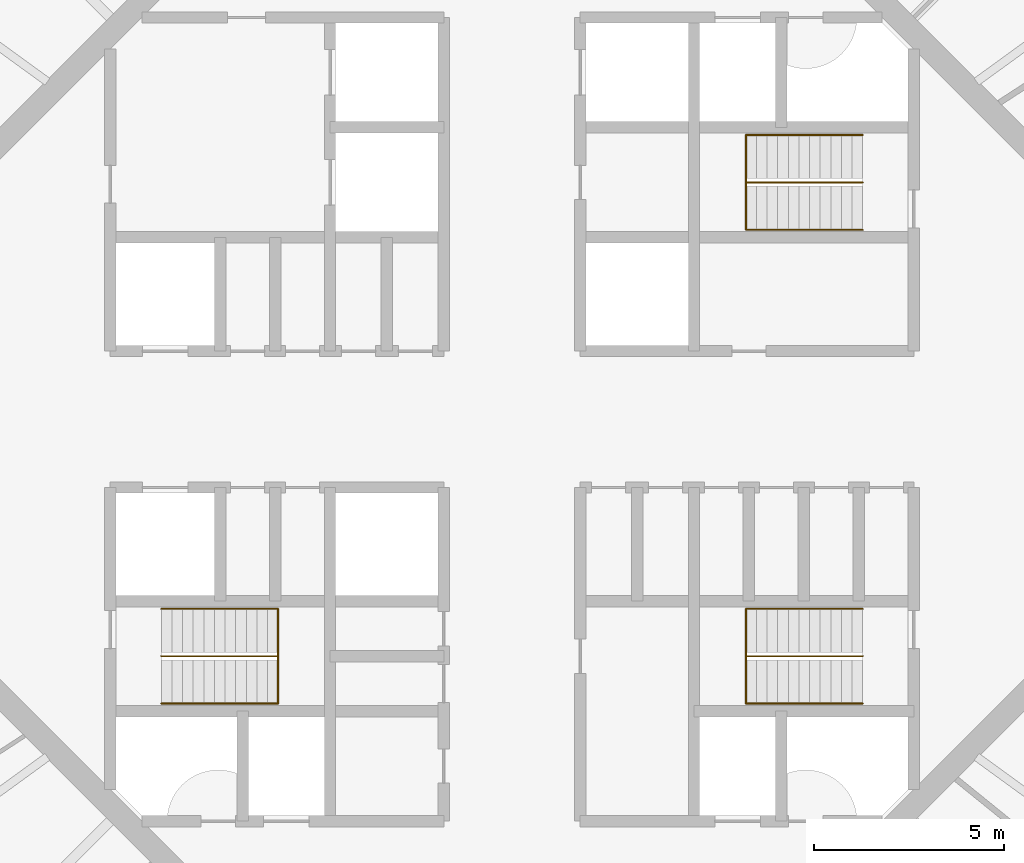
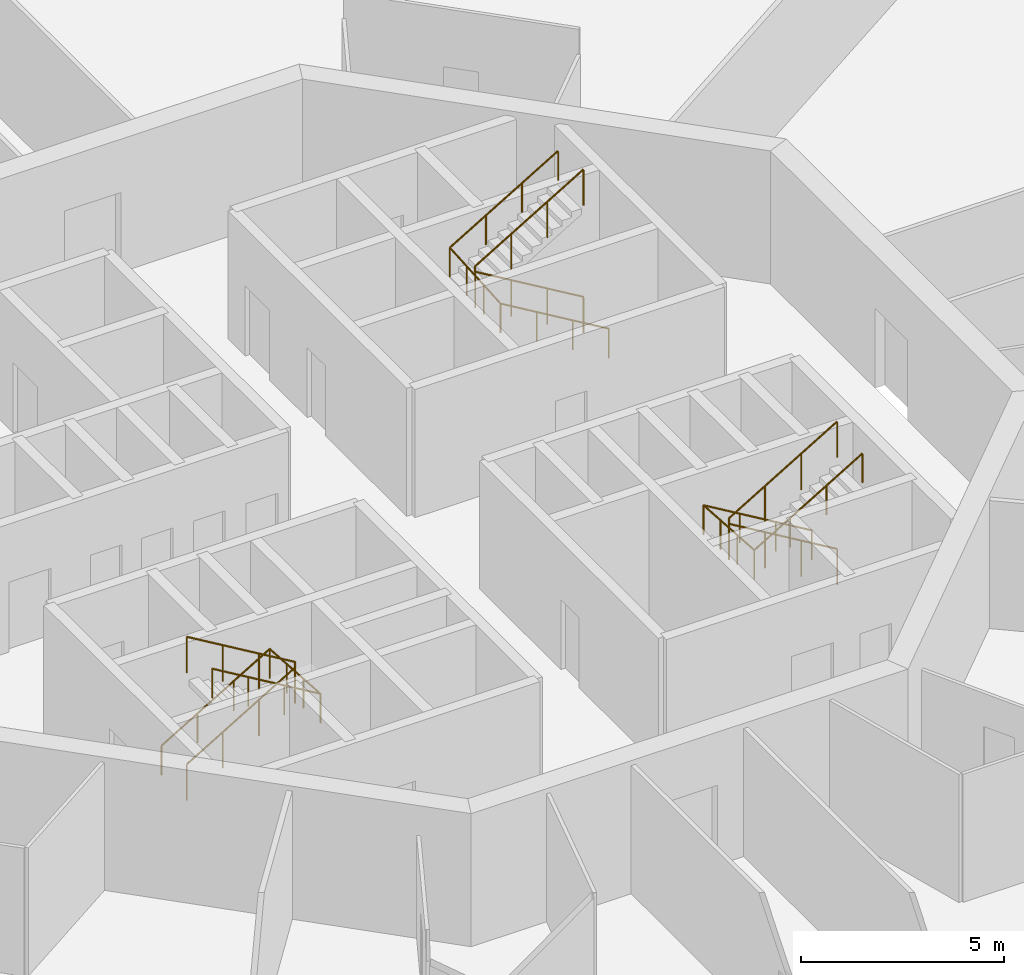
# One storey, part 19 of 19: 6 railings.
"""IFC4 building model written with IfcOpenShell, lengths in metres."""

import ifcopenshell
import ifcopenshell.guid

model = None  # the IFC model being written
_history = None  # IfcOwnerHistory: only IFC2X3 demands one
_inside = {}  # id of a spatial element -> (the spatial element, [elements in it])
_under = {}  # id of a project, library or spatial element -> (it, [spatial elements below it])
_declared = {}  # id of a project -> (the project, [libraries it declares])
_typed = {}  # id of a type object -> (the type object, [elements of that type])
_made_of = {}  # id of a material, layer set ... -> (it, [elements and type objects made of it])


def new_model(schema):
    """Start an empty IFC model of exactly this schema.

    Asked for "IFC4X3", IfcOpenShell would pick the latest addendum, in which some entities
    have other attributes; the version numbers below select the first issue.
    IFC2X3 requires an IfcOwnerHistory on every rooted entity: one is made here for all.
    """
    global model, _history
    if schema == "IFC4X3":
        model = ifcopenshell.file(schema_version=(4, 3, 0, 0))
    else:
        model = ifcopenshell.file(schema=schema)
    _inside.clear()
    _under.clear()
    _declared.clear()
    _typed.clear()
    _made_of.clear()
    _history = None
    if model.schema == "IFC2X3":
        org = make("IfcOrganization", Name="unknown")
        user = make(
            "IfcPersonAndOrganization",
            ThePerson=make("IfcPerson", FamilyName="unknown"),
            TheOrganization=org,
        )
        app = make(
            "IfcApplication",
            ApplicationDeveloper=org,
            Version="unknown",
            ApplicationFullName="unknown",
            ApplicationIdentifier="unknown",
        )
        _history = make(
            "IfcOwnerHistory",
            OwningUser=user,
            OwningApplication=app,
            ChangeAction="ADDED",
            CreationDate=0,
        )
    return model


def make(cls, **values):
    """One entity of the class cls with the attributes given. An attribute that is None is left unset."""
    return model.create_entity(
        cls, **{name: value for name, value in values.items() if value is not None}
    )


def rooted(cls, **values):
    """An entity with a GlobalId (a new one), such as an element, a storey or a relation."""
    return make(cls, GlobalId=ifcopenshell.guid.new(), OwnerHistory=_history, **values)


def si_unit(unit_type, name, prefix=None):
    """IfcSIUnit, for example si_unit("LENGTHUNIT", "METRE", prefix="MILLI")."""
    return make("IfcSIUnit", UnitType=unit_type, Prefix=prefix, Name=name)


def assignment(units):
    """IfcUnitAssignment: the units of a project."""
    return None if units is None else make("IfcUnitAssignment", Units=units)


def point(xyz):
    """IfcCartesianPoint."""
    return None if xyz is None else make("IfcCartesianPoint", Coordinates=xyz)


def direction(xyz):
    """IfcDirection."""
    return None if xyz is None else make("IfcDirection", DirectionRatios=xyz)


def frame(location, z_axis=None, x_axis=None):
    """IfcAxis2Placement3D, a coordinate frame: its origin and axes. An axis left out is left unset."""
    return make(
        "IfcAxis2Placement3D",
        Location=point(location),
        Axis=direction(z_axis),
        RefDirection=direction(x_axis),
    )


def frame_2d(location, x_axis=None):
    """IfcAxis2Placement2D, a coordinate frame in the plane: its origin and x axis."""
    return make(
        "IfcAxis2Placement2D", Location=point(location), RefDirection=direction(x_axis)
    )


def origin():
    """The frame at (0, 0, 0) with its axes left unset."""
    return frame((0.0, 0.0, 0.0))


def origin_2d():
    """The frame at (0, 0) in the plane with its x axis left unset."""
    return frame_2d((0.0, 0.0))


def place(relative_to, where):
    """IfcLocalPlacement: puts the frame where relative to a parent placement (None: the world)."""
    return make(
        "IfcLocalPlacement", PlacementRelTo=relative_to, RelativePlacement=where
    )


def context(
    kind, dimensions, precision=None, world=None, true_north=None, identifier=None
):
    """IfcGeometricRepresentationContext, for example the 3D "Model" context."""
    return make(
        "IfcGeometricRepresentationContext",
        ContextIdentifier=identifier,
        ContextType=kind,
        CoordinateSpaceDimension=dimensions,
        Precision=precision,
        WorldCoordinateSystem=world,
        TrueNorth=true_north,
    )


def subcontext(parent, identifier, kind, view, scale=None):
    """IfcGeometricRepresentationSubContext, for example "Body" below "Model"."""
    return make(
        "IfcGeometricRepresentationSubContext",
        ContextIdentifier=identifier,
        ContextType=kind,
        ParentContext=parent,
        TargetScale=scale,
        TargetView=view,
    )


def project(units=None, contexts=None):
    """IfcProject with its units and contexts."""
    return rooted(
        "IfcProject",
        Name="project",
        RepresentationContexts=contexts,
        UnitsInContext=assignment(units),
    )


def spatial(cls, under=None, at=None, **own):
    """A site, building, storey or space (cls), placed at a placement, below another one or the project."""
    s = rooted(cls, ObjectPlacement=at, **own)
    if under is not None:
        _under.setdefault(under.id(), (under, []))[1].append(s)
    return s


def profile(cls, at=None, kind="AREA", **sizes):
    """A parametric profile (cls). Its sizes go by their IFC names, for example OverallWidth=200.0."""
    return make(cls, ProfileType=kind, Position=at, **sizes)


def circle(**sizes):
    """IfcCircleProfileDef."""
    return profile("IfcCircleProfileDef", **sizes)


def extrude(swept, where, along, depth):
    """IfcExtrudedAreaSolid: the profile swept, set in the frame where, extruded along a direction by depth."""
    return make(
        "IfcExtrudedAreaSolid",
        SweptArea=swept,
        Position=where,
        ExtrudedDirection=direction(along),
        Depth=depth,
    )


def shape(context_of_items, identifier, shape_type, items):
    """IfcShapeRepresentation: the items that make up one representation, for example the "Body"."""
    return make(
        "IfcShapeRepresentation",
        ContextOfItems=context_of_items,
        RepresentationIdentifier=identifier,
        RepresentationType=shape_type,
        Items=items,
    )


def material(Name=None, Category=None):
    """IfcMaterial."""
    return make("IfcMaterial", Name=Name, Category=Category)


def made_of(thing, what):
    """Note that an element or type object is made of a material, layer set ...; save() writes the relation."""
    if what is not None:
        _made_of.setdefault(what.id(), (what, []))[1].append(thing)
    return thing


def type_object(cls, material=None, **own):
    """A type object (cls), such as IfcWallType, which elements share."""
    return made_of(rooted(cls, **own), material)


def element(
    cls,
    number,
    at=None,
    inside=None,
    cuts=None,
    type_object=None,
    material=None,
    context=None,
    identifier="Body",
    shape_type=None,
    held_by="IfcProductDefinitionShape",
    body=None,
    shapes=None,
    **own,
):
    """One element of the class cls, such as IfcWall. Its Tag is "e" and its number.

    at: its placement. inside: the storey or other place that contains it. cuts: it is an
    opening in that element (IfcRelVoidsElement). A single representation is given by context,
    identifier, shape_type and body (its items); several are given by shapes. held_by: the class
    of the entity that holds the representations. save() writes the other relations.
    """
    e = rooted(cls, Tag="e%d" % number, ObjectPlacement=at, **own)
    if body is not None:
        shapes = [shape(context, identifier, shape_type, body)]
    if shapes is not None:
        e.Representation = make(held_by, Representations=shapes)
    if inside is not None:
        _inside.setdefault(inside.id(), (inside, []))[1].append(e)
    if cuts is not None:
        rooted(
            "IfcRelVoidsElement", RelatingBuildingElement=cuts, RelatedOpeningElement=e
        )
    if type_object is not None:
        _typed.setdefault(type_object.id(), (type_object, []))[1].append(e)
    return made_of(e, material)


def aggregate(whole, parts):
    """IfcRelAggregates: a whole, such as a stair, and the parts it consists of."""
    return rooted("IfcRelAggregates", RelatingObject=whole, RelatedObjects=parts)


def save(model, path):
    """Write the relations noted so far, then the file.

    IfcRelAggregates (storeys below a building ...), IfcRelContainedInSpatialStructure (elements
    in a storey), IfcRelDefinesByType, IfcRelAssociatesMaterial and IfcRelDeclares: one each for
    every whole, place, type object, material and project.
    """
    for whole, parts in _under.values():
        aggregate(whole, parts)
    for where, things in _inside.values():
        rooted(
            "IfcRelContainedInSpatialStructure",
            RelatedElements=things,
            RelatingStructure=where,
        )
    for kind, things in _typed.values():
        rooted("IfcRelDefinesByType", RelatedObjects=things, RelatingType=kind)
    for what, things in _made_of.values():
        rooted("IfcRelAssociatesMaterial", RelatedObjects=things, RelatingMaterial=what)
    for by, libraries in _declared.values():
        rooted("IfcRelDeclares", RelatingContext=by, RelatedDefinitions=libraries)
    model.write(path)


model = new_model("IFC4")

# Units and contexts
model_context = context("Model", 3, precision=1e-05, world=origin(), true_north=direction((0.0, 1.0)))
body_context = subcontext(model_context, "Body", "Model", "MODEL_VIEW")
ifc_project = project(units=[si_unit("LENGTHUNIT", "METRE"), si_unit("AREAUNIT", "SQUARE_METRE"), si_unit("VOLUMEUNIT", "CUBIC_METRE"), si_unit("PLANEANGLEUNIT", "RADIAN"), si_unit("MASSUNIT", "GRAM", prefix="KILO")], contexts=[model_context])

# Site, building, storey
site_placement = place(None, origin())
site = spatial("IfcSite", under=ifc_project, at=site_placement, CompositionType="ELEMENT")
building_placement = place(site_placement, origin())
building = spatial("IfcBuilding", under=site, at=building_placement, Name="Entoto Ring Tower", CompositionType="ELEMENT")
storey_placement = place(building_placement, frame((0.0, 0.0, 368.0)))
storey = spatial("IfcBuildingStorey", under=building, at=storey_placement, Name="L85", CompositionType="ELEMENT", Elevation=368.0)

# Railings
ifc_material_1 = material(Name="Steel S275", Category="steel")
railing_type_1 = type_object("IfcRailingType", Name="Stair guard 1100 mm steel", PredefinedType="GUARDRAIL", material=ifc_material_1)
railing_1_placement = place(storey_placement, frame((99.25, 86.25, 0.166748046875)))
element("IfcRailing", 1, at=railing_1_placement, inside=storey, type_object=railing_type_1, Name="Guard ST1", PredefinedType="GUARDRAIL", context=body_context, shape_type="SweptSolid", body=[
    extrude(circle(Radius=0.02392578125, at=origin_2d()), frame((0.0, 0.0, 1.076171875), z_axis=(-0.859308565015, 0.0, 0.511457515432), x_axis=(0.0, -1.0, 0.0)), (0.0, 0.0, 1.0), 3.58447265625),
    extrude(circle(Radius=0.02392578125, at=origin_2d()), frame((-3.080078125, 0.0, 2.9091796875), z_axis=(0.0, 0.0, 1.0), x_axis=(1.0, 0.0, 0.0)), (0.0, 0.0, 1.0), 0.166748046875),
    extrude(circle(Radius=0.02392578125, at=origin_2d()), frame((-3.080078125, 0.0, 3.076171875), z_axis=(0.859308565015, 0.0, 0.511457515432), x_axis=(0.0, 1.0, 0.0)), (0.0, 0.0, 1.0), 3.58447265625),
    extrude(circle(Radius=0.02099609375, at=origin_2d()), origin(), (0.0, 0.0, 1.0), 1.052001953125),
    extrude(circle(Radius=0.02099609375, at=origin_2d()), frame((-1.026611328125, 0.0, 0.611083984375)), (0.0, 0.0, 1.0), 1.052001953125),
    extrude(circle(Radius=0.02099609375, at=origin_2d()), frame((-2.053466796875, 0.0, 1.22216796875)), (0.0, 0.0, 1.0), 1.052001953125),
    extrude(circle(Radius=0.02099609375, at=origin_2d()), frame((-3.080078125, 0.0, 1.833251953125)), (0.0, 0.0, 1.0), 1.052001953125),
    extrude(circle(Radius=0.02099609375, at=origin_2d()), frame((-3.080078125, 0.0, 2.0)), (0.0, 0.0, 1.0), 1.052001953125),
    extrude(circle(Radius=0.02099609375, at=origin_2d()), frame((-2.053466796875, 0.0, 2.611083984375)), (0.0, 0.0, 1.0), 1.052001953125),
    extrude(circle(Radius=0.02099609375, at=origin_2d()), frame((-1.026611328125, 0.0, 3.22216796875)), (0.0, 0.0, 1.0), 1.052001953125),
    extrude(circle(Radius=0.02099609375, at=origin_2d()), frame((0.0, 0.0, 3.833251953125)), (0.0, 0.0, 1.0), 1.052001953125),
])
railing_2_placement = place(storey_placement, frame((80.75, 73.75, 0.166748046875)))
element("IfcRailing", 2, at=railing_2_placement, inside=storey, type_object=railing_type_1, Name="Guard ST2", PredefinedType="GUARDRAIL", context=body_context, shape_type="SweptSolid", body=[
    extrude(circle(Radius=0.02392578125, at=origin_2d()), frame((0.0, 0.0, 1.076171875), z_axis=(0.859308565015, 0.0, 0.511457515432), x_axis=(0.0, 1.0, 0.0)), (0.0, 0.0, 1.0), 3.58447265625),
    extrude(circle(Radius=0.02392578125, at=origin_2d()), frame((3.080078125, 0.0, 2.9091796875), z_axis=(0.0, 0.0, 1.0), x_axis=(1.0, 0.0, 0.0)), (0.0, 0.0, 1.0), 0.166748046875),
    extrude(circle(Radius=0.02392578125, at=origin_2d()), frame((3.080078125, 0.0, 3.076171875), z_axis=(-0.859308565015, 0.0, 0.511457515432), x_axis=(0.0, -1.0, 0.0)), (0.0, 0.0, 1.0), 3.58447265625),
    extrude(circle(Radius=0.02099609375, at=origin_2d()), origin(), (0.0, 0.0, 1.0), 1.052001953125),
    extrude(circle(Radius=0.02099609375, at=origin_2d()), frame((1.026611328125, 0.0, 0.611083984375)), (0.0, 0.0, 1.0), 1.052001953125),
    extrude(circle(Radius=0.02099609375, at=origin_2d()), frame((2.053466796875, 0.0, 1.22216796875)), (0.0, 0.0, 1.0), 1.052001953125),
    extrude(circle(Radius=0.02099609375, at=origin_2d()), frame((3.080078125, 0.0, 1.833251953125)), (0.0, 0.0, 1.0), 1.052001953125),
    extrude(circle(Radius=0.02099609375, at=origin_2d()), frame((3.080078125, 0.0, 2.0)), (0.0, 0.0, 1.0), 1.052001953125),
    extrude(circle(Radius=0.02099609375, at=origin_2d()), frame((2.053466796875, 0.0, 2.611083984375)), (0.0, 0.0, 1.0), 1.052001953125),
    extrude(circle(Radius=0.02099609375, at=origin_2d()), frame((1.026611328125, 0.0, 3.22216796875)), (0.0, 0.0, 1.0), 1.052001953125),
    extrude(circle(Radius=0.02099609375, at=origin_2d()), frame((0.0, 0.0, 3.833251953125)), (0.0, 0.0, 1.0), 1.052001953125),
])
railing_3_placement = place(storey_placement, frame((99.25, 73.75, 0.166748046875)))
element("IfcRailing", 3, at=railing_3_placement, inside=storey, type_object=railing_type_1, Name="Guard ST3", PredefinedType="GUARDRAIL", context=body_context, shape_type="SweptSolid", body=[
    extrude(circle(Radius=0.02392578125, at=origin_2d()), frame((0.0, 0.0, 1.076171875), z_axis=(-0.859308565015, 0.0, 0.511457515432), x_axis=(0.0, -1.0, 0.0)), (0.0, 0.0, 1.0), 3.58447265625),
    extrude(circle(Radius=0.02392578125, at=origin_2d()), frame((-3.080078125, 0.0, 2.9091796875), z_axis=(0.0, 0.0, 1.0), x_axis=(1.0, 0.0, 0.0)), (0.0, 0.0, 1.0), 0.166748046875),
    extrude(circle(Radius=0.02392578125, at=origin_2d()), frame((-3.080078125, 0.0, 3.076171875), z_axis=(0.859308565015, 0.0, 0.511457515432), x_axis=(0.0, 1.0, 0.0)), (0.0, 0.0, 1.0), 3.58447265625),
    extrude(circle(Radius=0.02099609375, at=origin_2d()), origin(), (0.0, 0.0, 1.0), 1.052001953125),
    extrude(circle(Radius=0.02099609375, at=origin_2d()), frame((-1.026611328125, 0.0, 0.611083984375)), (0.0, 0.0, 1.0), 1.052001953125),
    extrude(circle(Radius=0.02099609375, at=origin_2d()), frame((-2.053466796875, 0.0, 1.22216796875)), (0.0, 0.0, 1.0), 1.052001953125),
    extrude(circle(Radius=0.02099609375, at=origin_2d()), frame((-3.080078125, 0.0, 1.833251953125)), (0.0, 0.0, 1.0), 1.052001953125),
    extrude(circle(Radius=0.02099609375, at=origin_2d()), frame((-3.080078125, 0.0, 2.0)), (0.0, 0.0, 1.0), 1.052001953125),
    extrude(circle(Radius=0.02099609375, at=origin_2d()), frame((-2.053466796875, 0.0, 2.611083984375)), (0.0, 0.0, 1.0), 1.052001953125),
    extrude(circle(Radius=0.02099609375, at=origin_2d()), frame((-1.026611328125, 0.0, 3.22216796875)), (0.0, 0.0, 1.0), 1.052001953125),
    extrude(circle(Radius=0.02099609375, at=origin_2d()), frame((0.0, 0.0, 3.833251953125)), (0.0, 0.0, 1.0), 1.052001953125),
])
ifc_material_2 = material(Name="Steel S275", Category="steel")
railing_type_2 = type_object("IfcRailingType", Name="Stair handrail 900 mm steel", PredefinedType="HANDRAIL", material=ifc_material_2)
railing_4_placement = place(storey_placement, frame((99.25, 85.0, 0.166748046875)))
element("IfcRailing", 4, at=railing_4_placement, inside=storey, type_object=railing_type_2, Name="Handrail ST1", PredefinedType="HANDRAIL", context=body_context, shape_type="SweptSolid", body=[
    extrude(circle(Radius=0.02392578125, at=origin_2d()), frame((0.0, 0.0, 0.8759765625), z_axis=(-0.859308565015, 0.0, 0.511457515432), x_axis=(0.0, -1.0, 0.0)), (0.0, 0.0, 1.0), 3.58447265625),
    extrude(circle(Radius=0.02392578125, at=origin_2d()), frame((-3.080078125, 0.0, 2.708984375), z_axis=(0.0, 0.997783001586, 0.066551346688), x_axis=(-1.0, 0.0, 0.0)), (0.0, 0.0, 1.0), 2.505615234375),
    extrude(circle(Radius=0.02392578125, at=origin_2d()), frame((-3.080078125, 2.5, 2.8759765625), z_axis=(0.859308565015, 0.0, 0.511457515432), x_axis=(0.0, 1.0, 0.0)), (0.0, 0.0, 1.0), 3.58447265625),
    extrude(circle(Radius=0.02099609375, at=origin_2d()), origin(), (0.0, 0.0, 1.0), 0.851806640625),
    extrude(circle(Radius=0.02099609375, at=origin_2d()), frame((-1.026611328125, 0.0, 0.611083984375)), (0.0, 0.0, 1.0), 0.851806640625),
    extrude(circle(Radius=0.02099609375, at=origin_2d()), frame((-2.053466796875, 0.0, 1.22216796875)), (0.0, 0.0, 1.0), 0.851806640625),
    extrude(circle(Radius=0.02099609375, at=origin_2d()), frame((-3.080078125, 0.0, 1.833251953125)), (0.0, 0.0, 1.0), 0.851806640625),
    extrude(circle(Radius=0.02099609375, at=origin_2d()), frame((-3.080078125, 0.833251953125, 1.888916015625)), (0.0, 0.0, 1.0), 0.851806640625),
    extrude(circle(Radius=0.02099609375, at=origin_2d()), frame((-3.080078125, 1.666748046875, 1.9443359375)), (0.0, 0.0, 1.0), 0.851806640625),
    extrude(circle(Radius=0.02099609375, at=origin_2d()), frame((-3.080078125, 2.5, 2.0)), (0.0, 0.0, 1.0), 0.851806640625),
    extrude(circle(Radius=0.02099609375, at=origin_2d()), frame((-2.053466796875, 2.5, 2.611083984375)), (0.0, 0.0, 1.0), 0.851806640625),
    extrude(circle(Radius=0.02099609375, at=origin_2d()), frame((-1.026611328125, 2.5, 3.22216796875)), (0.0, 0.0, 1.0), 0.851806640625),
    extrude(circle(Radius=0.02099609375, at=origin_2d()), frame((0.0, 2.5, 3.833251953125)), (0.0, 0.0, 1.0), 0.851806640625),
])
railing_5_placement = place(storey_placement, frame((80.75, 75.0, 0.166748046875)))
element("IfcRailing", 5, at=railing_5_placement, inside=storey, type_object=railing_type_2, Name="Handrail ST2", PredefinedType="HANDRAIL", context=body_context, shape_type="SweptSolid", body=[
    extrude(circle(Radius=0.02392578125, at=origin_2d()), frame((0.0, 0.0, 0.8759765625), z_axis=(0.859308565015, 0.0, 0.511457515432), x_axis=(0.0, 1.0, 0.0)), (0.0, 0.0, 1.0), 3.58447265625),
    extrude(circle(Radius=0.02392578125, at=origin_2d()), frame((3.080078125, 0.0, 2.708984375), z_axis=(0.0, -0.997783001586, 0.066551346688), x_axis=(1.0, 0.0, 0.0)), (0.0, 0.0, 1.0), 2.505615234375),
    extrude(circle(Radius=0.02392578125, at=origin_2d()), frame((3.080078125, -2.5, 2.8759765625), z_axis=(-0.859308565015, 0.0, 0.511457515432), x_axis=(0.0, -1.0, 0.0)), (0.0, 0.0, 1.0), 3.58447265625),
    extrude(circle(Radius=0.02099609375, at=origin_2d()), origin(), (0.0, 0.0, 1.0), 0.851806640625),
    extrude(circle(Radius=0.02099609375, at=origin_2d()), frame((1.026611328125, 0.0, 0.611083984375)), (0.0, 0.0, 1.0), 0.851806640625),
    extrude(circle(Radius=0.02099609375, at=origin_2d()), frame((2.053466796875, 0.0, 1.22216796875)), (0.0, 0.0, 1.0), 0.851806640625),
    extrude(circle(Radius=0.02099609375, at=origin_2d()), frame((3.080078125, 0.0, 1.833251953125)), (0.0, 0.0, 1.0), 0.851806640625),
    extrude(circle(Radius=0.02099609375, at=origin_2d()), frame((3.080078125, -0.833251953125, 1.888916015625)), (0.0, 0.0, 1.0), 0.851806640625),
    extrude(circle(Radius=0.02099609375, at=origin_2d()), frame((3.080078125, -1.666748046875, 1.9443359375)), (0.0, 0.0, 1.0), 0.851806640625),
    extrude(circle(Radius=0.02099609375, at=origin_2d()), frame((3.080078125, -2.5, 2.0)), (0.0, 0.0, 1.0), 0.851806640625),
    extrude(circle(Radius=0.02099609375, at=origin_2d()), frame((2.053466796875, -2.5, 2.611083984375)), (0.0, 0.0, 1.0), 0.851806640625),
    extrude(circle(Radius=0.02099609375, at=origin_2d()), frame((1.026611328125, -2.5, 3.22216796875)), (0.0, 0.0, 1.0), 0.851806640625),
    extrude(circle(Radius=0.02099609375, at=origin_2d()), frame((0.0, -2.5, 3.833251953125)), (0.0, 0.0, 1.0), 0.851806640625),
])
railing_6_placement = place(storey_placement, frame((99.25, 75.0, 0.166748046875)))
element("IfcRailing", 6, at=railing_6_placement, inside=storey, type_object=railing_type_2, Name="Handrail ST3", PredefinedType="HANDRAIL", context=body_context, shape_type="SweptSolid", body=[
    extrude(circle(Radius=0.02392578125, at=origin_2d()), frame((0.0, 0.0, 0.8759765625), z_axis=(-0.859308565015, 0.0, 0.511457515432), x_axis=(0.0, -1.0, 0.0)), (0.0, 0.0, 1.0), 3.58447265625),
    extrude(circle(Radius=0.02392578125, at=origin_2d()), frame((-3.080078125, 0.0, 2.708984375), z_axis=(0.0, -0.997783001586, 0.066551346688), x_axis=(1.0, 0.0, 0.0)), (0.0, 0.0, 1.0), 2.505615234375),
    extrude(circle(Radius=0.02392578125, at=origin_2d()), frame((-3.080078125, -2.5, 2.8759765625), z_axis=(0.859308565015, 0.0, 0.511457515432), x_axis=(0.0, 1.0, 0.0)), (0.0, 0.0, 1.0), 3.58447265625),
    extrude(circle(Radius=0.02099609375, at=origin_2d()), origin(), (0.0, 0.0, 1.0), 0.851806640625),
    extrude(circle(Radius=0.02099609375, at=origin_2d()), frame((-1.026611328125, 0.0, 0.611083984375)), (0.0, 0.0, 1.0), 0.851806640625),
    extrude(circle(Radius=0.02099609375, at=origin_2d()), frame((-2.053466796875, 0.0, 1.22216796875)), (0.0, 0.0, 1.0), 0.851806640625),
    extrude(circle(Radius=0.02099609375, at=origin_2d()), frame((-3.080078125, 0.0, 1.833251953125)), (0.0, 0.0, 1.0), 0.851806640625),
    extrude(circle(Radius=0.02099609375, at=origin_2d()), frame((-3.080078125, -0.833251953125, 1.888916015625)), (0.0, 0.0, 1.0), 0.851806640625),
    extrude(circle(Radius=0.02099609375, at=origin_2d()), frame((-3.080078125, -1.666748046875, 1.9443359375)), (0.0, 0.0, 1.0), 0.851806640625),
    extrude(circle(Radius=0.02099609375, at=origin_2d()), frame((-3.080078125, -2.5, 2.0)), (0.0, 0.0, 1.0), 0.851806640625),
    extrude(circle(Radius=0.02099609375, at=origin_2d()), frame((-2.053466796875, -2.5, 2.611083984375)), (0.0, 0.0, 1.0), 0.851806640625),
    extrude(circle(Radius=0.02099609375, at=origin_2d()), frame((-1.026611328125, -2.5, 3.22216796875)), (0.0, 0.0, 1.0), 0.851806640625),
    extrude(circle(Radius=0.02099609375, at=origin_2d()), frame((0.0, -2.5, 3.833251953125)), (0.0, 0.0, 1.0), 0.851806640625),
])

save(model, "model.ifc")
